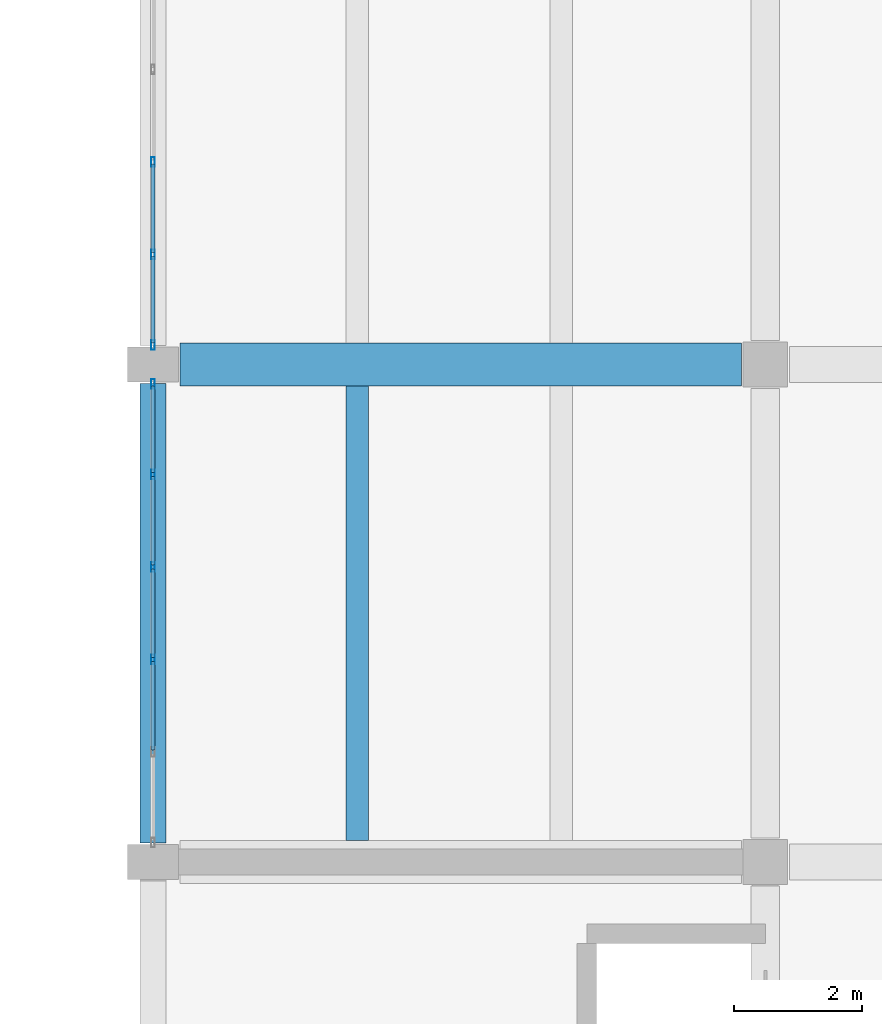
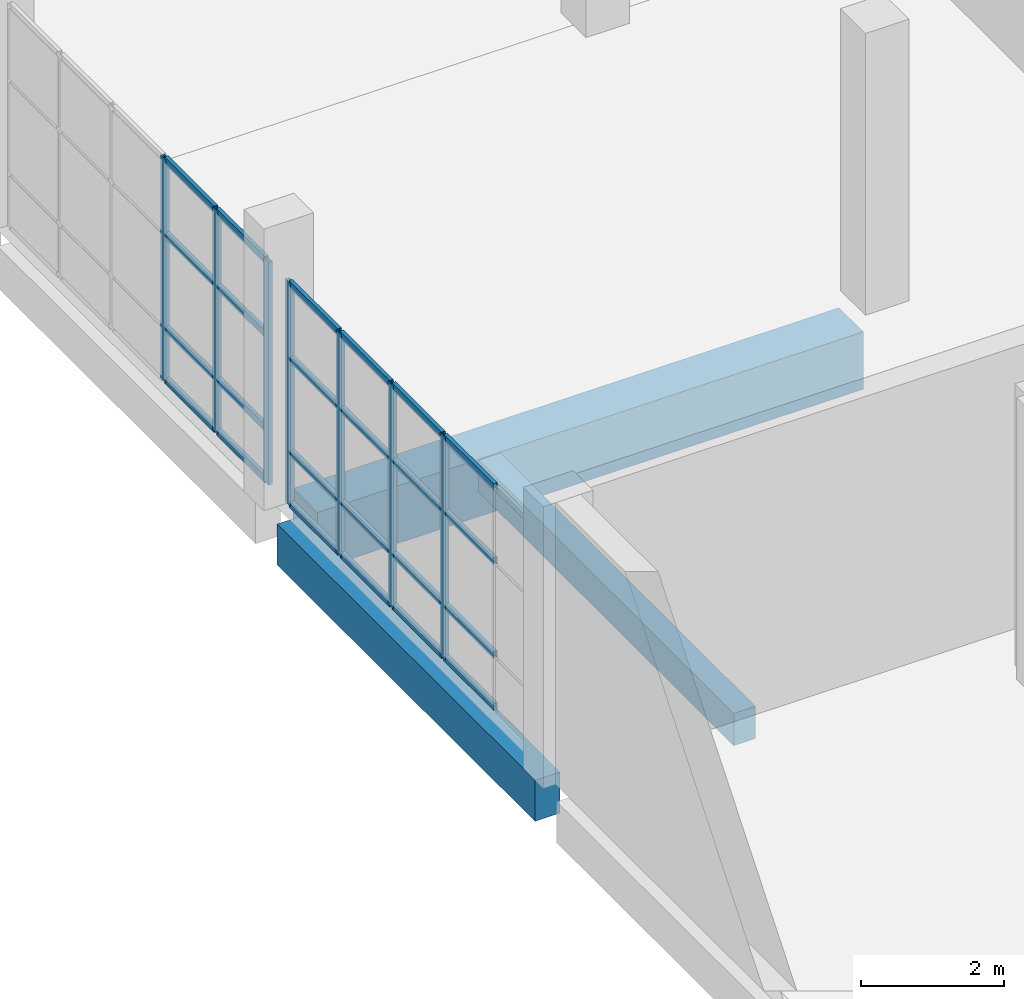
# One storey, part 55 of 91: 31 members, 3 beams, 2 elements without a shape of their own.
"""IFC4 building model written with IfcOpenShell, lengths in metres."""

from ifc_helpers import new_model, si_unit, direction, frame, origin, origin_2d, place, context, subcontext, project, spatial, rectangle, hollow_rectangle, extrude, material, material_profile, profile_set, type_object, element, aggregate, save


model = new_model("IFC4")

# Units and contexts
model_context = context("Model", 3, precision=1e-05, world=origin(), true_north=direction((0.0, 1.0)))
body_context = subcontext(model_context, "Body", "Model", "MODEL_VIEW")
ifc_project = project(units=[si_unit("LENGTHUNIT", "METRE"), si_unit("AREAUNIT", "SQUARE_METRE"), si_unit("VOLUMEUNIT", "CUBIC_METRE"), si_unit("PLANEANGLEUNIT", "RADIAN"), si_unit("MASSUNIT", "GRAM", prefix="KILO")], contexts=[model_context])

# Site, building, storey
site_placement = place(None, origin())
site = spatial("IfcSite", under=ifc_project, at=site_placement, CompositionType="ELEMENT")
building_placement = place(site_placement, origin())
building = spatial("IfcBuilding", under=site, at=building_placement, Name="Pellamere Symphony Hall", CompositionType="ELEMENT")
storey_placement = place(building_placement, frame((0.0, 0.0, 5.39990234375)))
storey = spatial("IfcBuildingStorey", under=building, at=storey_placement, Name="L01", CompositionType="ELEMENT", Elevation=5.39990234375)

# Curtain wall, members
ifc_material_1 = material(Name="Thermally Broken Anodised Aluminium 6063-T6 Curtain Wall", Category="aluminium")
curtain_wall_type = type_object("IfcCurtainWallType", Name="Curtain Wall CW-05 (Artists Wing North Studio Ribbon Curtain Wall)", PredefinedType="NOTDEFINED", material=ifc_material_1)
curtain_wall_1_placement = place(storey_placement, origin())
curtain_wall_1 = element("IfcCurtainWall", 1, at=curtain_wall_1_placement, inside=storey, type_object=curtain_wall_type, Name="Sculpture Court East Wing Curtain Wall (L01 Bay 1)", PredefinedType="NOTDEFINED")
ifc_material_2 = material(Name="Anodised Architectural Aluminium 6063-T6", Category="aluminium")
ifc_material_profile_1 = material_profile(ifc_material_2, hollow_rectangle(XDim=0.06005859375, YDim=0.14990234375, WallThickness=0.00390625, at=origin_2d()), Name="ALU-M60X150X4")
ifc_profile_set_1 = profile_set([ifc_material_profile_1], Name="Anodised Architectural Aluminium 6063-T6")
member_type_1 = type_object("IfcMemberType", Name="Curtain Wall Mullion ML-03 ALU-M60X150X4", PredefinedType="MULLION", material=ifc_profile_set_1)
member_1_placement = place(storey_placement, frame((138.0, 64.97509765625, 0.0), z_axis=(0.0, 0.0, 1.0), x_axis=(-1.0, 0.0, 0.0)))
member_1 = element("IfcMember", 2, at=member_1_placement, type_object=member_type_1, Name="CW5-132 crystal mullion 3", PredefinedType="MULLION", context=body_context, shape_type="SweptSolid", body=[
    extrude(hollow_rectangle(XDim=0.06005859375, YDim=0.14990234375, WallThickness=0.00390625, at=origin_2d()), origin(), (0.0, 0.0, 1.0), 3.800048828125),
])
member_2_placement = place(storey_placement, frame((138.0, 66.425048828125, 0.0), z_axis=(0.0, 0.0, 1.0), x_axis=(-1.0, 0.0, 0.0)))
member_2 = element("IfcMember", 3, at=member_2_placement, type_object=member_type_1, Name="CW5-132 crystal mullion 4", PredefinedType="MULLION", context=body_context, shape_type="SweptSolid", body=[
    extrude(hollow_rectangle(XDim=0.06005859375, YDim=0.14990234375, WallThickness=0.00390625, at=origin_2d()), origin(), (0.0, 0.0, 1.0), 3.800048828125),
])
member_3_placement = place(storey_placement, frame((138.0, 67.875, 0.0), z_axis=(0.0, 0.0, 1.0), x_axis=(-1.0, 0.0, 0.0)))
member_3 = element("IfcMember", 4, at=member_3_placement, type_object=member_type_1, Name="CW5-132 crystal mullion 5", PredefinedType="MULLION", context=body_context, shape_type="SweptSolid", body=[
    extrude(hollow_rectangle(XDim=0.06005859375, YDim=0.14990234375, WallThickness=0.00390625, at=origin_2d()), origin(), (0.0, 0.0, 1.0), 3.800048828125),
])
member_4_placement = place(storey_placement, frame((138.0, 69.294921875, 0.0), z_axis=(0.0, 0.0, 1.0), x_axis=(-1.0, 0.0, 0.0)))
member_4 = element("IfcMember", 5, at=member_4_placement, type_object=member_type_1, Name="CW5-132 crystal mullion 6", PredefinedType="MULLION", context=body_context, shape_type="SweptSolid", body=[
    extrude(hollow_rectangle(XDim=0.06005859375, YDim=0.14990234375, WallThickness=0.00390625, at=origin_2d()), origin(), (0.0, 0.0, 1.0), 3.800048828125),
])

curtain_wall_2_placement = place(storey_placement, origin())
curtain_wall_2 = element("IfcCurtainWall", 6, at=curtain_wall_2_placement, inside=storey, type_object=curtain_wall_type, Name="Sculpture Court East Wing Curtain Wall (L01 Bay 2)", PredefinedType="NOTDEFINED")
member_5_placement = place(storey_placement, frame((138.0, 69.905029296875, 0.0), z_axis=(0.0, 0.0, 1.0), x_axis=(-1.0, 0.0, 0.0)))
member_5 = element("IfcMember", 7, at=member_5_placement, type_object=member_type_1, Name="CW5-133 crystal mullion 1", PredefinedType="MULLION", context=body_context, shape_type="SweptSolid", body=[
    extrude(hollow_rectangle(XDim=0.06005859375, YDim=0.14990234375, WallThickness=0.00390625, at=origin_2d()), origin(), (0.0, 0.0, 1.0), 3.800048828125),
])
member_6_placement = place(storey_placement, frame((138.0, 71.324951171875, 0.0), z_axis=(0.0, 0.0, 1.0), x_axis=(-1.0, 0.0, 0.0)))
member_6 = element("IfcMember", 8, at=member_6_placement, type_object=member_type_1, Name="CW5-133 crystal mullion 2", PredefinedType="MULLION", context=body_context, shape_type="SweptSolid", body=[
    extrude(hollow_rectangle(XDim=0.06005859375, YDim=0.14990234375, WallThickness=0.00390625, at=origin_2d()), origin(), (0.0, 0.0, 1.0), 3.800048828125),
])
member_7_placement = place(storey_placement, frame((138.0, 72.77490234375, 0.0), z_axis=(0.0, 0.0, 1.0), x_axis=(-1.0, 0.0, 0.0)))
member_7 = element("IfcMember", 9, at=member_7_placement, type_object=member_type_1, Name="CW5-133 crystal mullion 3", PredefinedType="MULLION", context=body_context, shape_type="SweptSolid", body=[
    extrude(hollow_rectangle(XDim=0.06005859375, YDim=0.14990234375, WallThickness=0.00390625, at=origin_2d()), origin(), (0.0, 0.0, 1.0), 3.800048828125),
])

# Member
ifc_material_profile_2 = material_profile(ifc_material_2, hollow_rectangle(XDim=0.06005859375, YDim=0.1201171875, WallThickness=0.00390625, at=origin_2d()), Name="ALU-T60X120X4")
ifc_profile_set_2 = profile_set([ifc_material_profile_2], Name="Anodised Architectural Aluminium 6063-T6")
member_type_2 = type_object("IfcMemberType", Name="Curtain Wall Transom TR-03 ALU-T60X120X4", PredefinedType="USERDEFINED", material=ifc_profile_set_2)
member_8_placement = place(storey_placement, frame((138.0, 63.554931640625, 0.030029296875), z_axis=(0.0, 1.0, 0.0), x_axis=(-1.0, 0.0, 0.0)))
member_8 = element("IfcMember", 10, at=member_8_placement, type_object=member_type_2, Name="CW5-132 crystal transom 2.1", ObjectType="TRANSOM", PredefinedType="USERDEFINED", context=body_context, shape_type="SweptSolid", body=[
    extrude(hollow_rectangle(XDim=0.06005859375, YDim=0.1201171875, WallThickness=0.00390625, at=origin_2d()), origin(), (0.0, 0.0, 1.0), 1.39013671875),
])

member_9_placement = place(storey_placement, frame((138.0, 63.554931640625, 0.912109375), z_axis=(0.0, 1.0, 0.0), x_axis=(-1.0, 0.0, 0.0)))
member_9 = element("IfcMember", 11, at=member_9_placement, type_object=member_type_2, Name="CW5-132 crystal transom 2.2", ObjectType="TRANSOM", PredefinedType="USERDEFINED", context=body_context, shape_type="SweptSolid", body=[
    extrude(hollow_rectangle(XDim=0.06005859375, YDim=0.1201171875, WallThickness=0.00390625, at=origin_2d()), origin(), (0.0, 0.0, 1.0), 1.39013671875),
])

member_10_placement = place(storey_placement, frame((138.0, 63.554931640625, 2.508056640625), z_axis=(0.0, 1.0, 0.0), x_axis=(-1.0, 0.0, 0.0)))
member_10 = element("IfcMember", 12, at=member_10_placement, type_object=member_type_2, Name="CW5-132 crystal transom 2.3", ObjectType="TRANSOM", PredefinedType="USERDEFINED", context=body_context, shape_type="SweptSolid", body=[
    extrude(hollow_rectangle(XDim=0.06005859375, YDim=0.1201171875, WallThickness=0.00390625, at=origin_2d()), origin(), (0.0, 0.0, 1.0), 1.39013671875),
])

member_11_placement = place(storey_placement, frame((138.0, 63.554931640625, 3.77001953125), z_axis=(0.0, 1.0, 0.0), x_axis=(-1.0, 0.0, 0.0)))
member_11 = element("IfcMember", 13, at=member_11_placement, type_object=member_type_2, Name="CW5-132 crystal transom 2.4", ObjectType="TRANSOM", PredefinedType="USERDEFINED", context=body_context, shape_type="SweptSolid", body=[
    extrude(hollow_rectangle(XDim=0.06005859375, YDim=0.1201171875, WallThickness=0.00390625, at=origin_2d()), origin(), (0.0, 0.0, 1.0), 1.39013671875),
])

member_12_placement = place(storey_placement, frame((138.0, 65.0048828125, 0.030029296875), z_axis=(0.0, 1.0, 0.0), x_axis=(-1.0, 0.0, 0.0)))
member_12 = element("IfcMember", 14, at=member_12_placement, type_object=member_type_2, Name="CW5-132 crystal transom 3.1", ObjectType="TRANSOM", PredefinedType="USERDEFINED", context=body_context, shape_type="SweptSolid", body=[
    extrude(hollow_rectangle(XDim=0.06005859375, YDim=0.1201171875, WallThickness=0.00390625, at=origin_2d()), origin(), (0.0, 0.0, 1.0), 1.39013671875),
])

member_13_placement = place(storey_placement, frame((138.0, 65.0048828125, 0.912109375), z_axis=(0.0, 1.0, 0.0), x_axis=(-1.0, 0.0, 0.0)))
member_13 = element("IfcMember", 15, at=member_13_placement, type_object=member_type_2, Name="CW5-132 crystal transom 3.2", ObjectType="TRANSOM", PredefinedType="USERDEFINED", context=body_context, shape_type="SweptSolid", body=[
    extrude(hollow_rectangle(XDim=0.06005859375, YDim=0.1201171875, WallThickness=0.00390625, at=origin_2d()), origin(), (0.0, 0.0, 1.0), 1.39013671875),
])

member_14_placement = place(storey_placement, frame((138.0, 65.0048828125, 2.508056640625), z_axis=(0.0, 1.0, 0.0), x_axis=(-1.0, 0.0, 0.0)))
member_14 = element("IfcMember", 16, at=member_14_placement, type_object=member_type_2, Name="CW5-132 crystal transom 3.3", ObjectType="TRANSOM", PredefinedType="USERDEFINED", context=body_context, shape_type="SweptSolid", body=[
    extrude(hollow_rectangle(XDim=0.06005859375, YDim=0.1201171875, WallThickness=0.00390625, at=origin_2d()), origin(), (0.0, 0.0, 1.0), 1.39013671875),
])

member_15_placement = place(storey_placement, frame((138.0, 65.0048828125, 3.77001953125), z_axis=(0.0, 1.0, 0.0), x_axis=(-1.0, 0.0, 0.0)))
member_15 = element("IfcMember", 17, at=member_15_placement, type_object=member_type_2, Name="CW5-132 crystal transom 3.4", ObjectType="TRANSOM", PredefinedType="USERDEFINED", context=body_context, shape_type="SweptSolid", body=[
    extrude(hollow_rectangle(XDim=0.06005859375, YDim=0.1201171875, WallThickness=0.00390625, at=origin_2d()), origin(), (0.0, 0.0, 1.0), 1.39013671875),
])

member_16_placement = place(storey_placement, frame((138.0, 66.455078125, 0.030029296875), z_axis=(0.0, 1.0, 0.0), x_axis=(-1.0, 0.0, 0.0)))
member_16 = element("IfcMember", 18, at=member_16_placement, type_object=member_type_2, Name="CW5-132 crystal transom 4.1", ObjectType="TRANSOM", PredefinedType="USERDEFINED", context=body_context, shape_type="SweptSolid", body=[
    extrude(hollow_rectangle(XDim=0.06005859375, YDim=0.1201171875, WallThickness=0.00390625, at=origin_2d()), origin(), (0.0, 0.0, 1.0), 1.389892578125),
])

member_17_placement = place(storey_placement, frame((138.0, 66.455078125, 0.912109375), z_axis=(0.0, 1.0, 0.0), x_axis=(-1.0, 0.0, 0.0)))
member_17 = element("IfcMember", 19, at=member_17_placement, type_object=member_type_2, Name="CW5-132 crystal transom 4.2", ObjectType="TRANSOM", PredefinedType="USERDEFINED", context=body_context, shape_type="SweptSolid", body=[
    extrude(hollow_rectangle(XDim=0.06005859375, YDim=0.1201171875, WallThickness=0.00390625, at=origin_2d()), origin(), (0.0, 0.0, 1.0), 1.389892578125),
])

member_18_placement = place(storey_placement, frame((138.0, 66.455078125, 2.508056640625), z_axis=(0.0, 1.0, 0.0), x_axis=(-1.0, 0.0, 0.0)))
member_18 = element("IfcMember", 20, at=member_18_placement, type_object=member_type_2, Name="CW5-132 crystal transom 4.3", ObjectType="TRANSOM", PredefinedType="USERDEFINED", context=body_context, shape_type="SweptSolid", body=[
    extrude(hollow_rectangle(XDim=0.06005859375, YDim=0.1201171875, WallThickness=0.00390625, at=origin_2d()), origin(), (0.0, 0.0, 1.0), 1.389892578125),
])

member_19_placement = place(storey_placement, frame((138.0, 66.455078125, 3.77001953125), z_axis=(0.0, 1.0, 0.0), x_axis=(-1.0, 0.0, 0.0)))
member_19 = element("IfcMember", 21, at=member_19_placement, type_object=member_type_2, Name="CW5-132 crystal transom 4.4", ObjectType="TRANSOM", PredefinedType="USERDEFINED", context=body_context, shape_type="SweptSolid", body=[
    extrude(hollow_rectangle(XDim=0.06005859375, YDim=0.1201171875, WallThickness=0.00390625, at=origin_2d()), origin(), (0.0, 0.0, 1.0), 1.389892578125),
])

member_20_placement = place(storey_placement, frame((138.0, 67.905029296875, 0.030029296875), z_axis=(0.0, 1.0, 0.0), x_axis=(-1.0, 0.0, 0.0)))
member_20 = element("IfcMember", 22, at=member_20_placement, type_object=member_type_2, Name="CW5-132 crystal transom 5.1", ObjectType="TRANSOM", PredefinedType="USERDEFINED", context=body_context, shape_type="SweptSolid", body=[
    extrude(hollow_rectangle(XDim=0.06005859375, YDim=0.1201171875, WallThickness=0.00390625, at=origin_2d()), origin(), (0.0, 0.0, 1.0), 1.35986328125),
])

member_21_placement = place(storey_placement, frame((138.0, 67.905029296875, 0.912109375), z_axis=(0.0, 1.0, 0.0), x_axis=(-1.0, 0.0, 0.0)))
member_21 = element("IfcMember", 23, at=member_21_placement, type_object=member_type_2, Name="CW5-132 crystal transom 5.2", ObjectType="TRANSOM", PredefinedType="USERDEFINED", context=body_context, shape_type="SweptSolid", body=[
    extrude(hollow_rectangle(XDim=0.06005859375, YDim=0.1201171875, WallThickness=0.00390625, at=origin_2d()), origin(), (0.0, 0.0, 1.0), 1.35986328125),
])

member_22_placement = place(storey_placement, frame((138.0, 67.905029296875, 2.508056640625), z_axis=(0.0, 1.0, 0.0), x_axis=(-1.0, 0.0, 0.0)))
member_22 = element("IfcMember", 24, at=member_22_placement, type_object=member_type_2, Name="CW5-132 crystal transom 5.3", ObjectType="TRANSOM", PredefinedType="USERDEFINED", context=body_context, shape_type="SweptSolid", body=[
    extrude(hollow_rectangle(XDim=0.06005859375, YDim=0.1201171875, WallThickness=0.00390625, at=origin_2d()), origin(), (0.0, 0.0, 1.0), 1.35986328125),
])

member_23_placement = place(storey_placement, frame((138.0, 67.905029296875, 3.77001953125), z_axis=(0.0, 1.0, 0.0), x_axis=(-1.0, 0.0, 0.0)))
member_23 = element("IfcMember", 25, at=member_23_placement, type_object=member_type_2, Name="CW5-132 crystal transom 5.4", ObjectType="TRANSOM", PredefinedType="USERDEFINED", context=body_context, shape_type="SweptSolid", body=[
    extrude(hollow_rectangle(XDim=0.06005859375, YDim=0.1201171875, WallThickness=0.00390625, at=origin_2d()), origin(), (0.0, 0.0, 1.0), 1.35986328125),
])

aggregate(curtain_wall_1, [member_1, member_2, member_3, member_4, member_8, member_9, member_10, member_11, member_12, member_13, member_14, member_15, member_16, member_17, member_18, member_19, member_20, member_21, member_22, member_23])

member_24_placement = place(storey_placement, frame((138.0, 69.93505859375, 0.030029296875), z_axis=(0.0, 1.0, 0.0), x_axis=(-1.0, 0.0, 0.0)))
member_24 = element("IfcMember", 26, at=member_24_placement, type_object=member_type_2, Name="CW5-133 crystal transom 1.1", ObjectType="TRANSOM", PredefinedType="USERDEFINED", context=body_context, shape_type="SweptSolid", body=[
    extrude(hollow_rectangle(XDim=0.06005859375, YDim=0.1201171875, WallThickness=0.00390625, at=origin_2d()), origin(), (0.0, 0.0, 1.0), 1.35986328125),
])

member_25_placement = place(storey_placement, frame((138.0, 69.93505859375, 0.912109375), z_axis=(0.0, 1.0, 0.0), x_axis=(-1.0, 0.0, 0.0)))
member_25 = element("IfcMember", 27, at=member_25_placement, type_object=member_type_2, Name="CW5-133 crystal transom 1.2", ObjectType="TRANSOM", PredefinedType="USERDEFINED", context=body_context, shape_type="SweptSolid", body=[
    extrude(hollow_rectangle(XDim=0.06005859375, YDim=0.1201171875, WallThickness=0.00390625, at=origin_2d()), origin(), (0.0, 0.0, 1.0), 1.35986328125),
])

member_26_placement = place(storey_placement, frame((138.0, 69.93505859375, 2.508056640625), z_axis=(0.0, 1.0, 0.0), x_axis=(-1.0, 0.0, 0.0)))
member_26 = element("IfcMember", 28, at=member_26_placement, type_object=member_type_2, Name="CW5-133 crystal transom 1.3", ObjectType="TRANSOM", PredefinedType="USERDEFINED", context=body_context, shape_type="SweptSolid", body=[
    extrude(hollow_rectangle(XDim=0.06005859375, YDim=0.1201171875, WallThickness=0.00390625, at=origin_2d()), origin(), (0.0, 0.0, 1.0), 1.35986328125),
])

member_27_placement = place(storey_placement, frame((138.0, 69.93505859375, 3.77001953125), z_axis=(0.0, 1.0, 0.0), x_axis=(-1.0, 0.0, 0.0)))
member_27 = element("IfcMember", 29, at=member_27_placement, type_object=member_type_2, Name="CW5-133 crystal transom 1.4", ObjectType="TRANSOM", PredefinedType="USERDEFINED", context=body_context, shape_type="SweptSolid", body=[
    extrude(hollow_rectangle(XDim=0.06005859375, YDim=0.1201171875, WallThickness=0.00390625, at=origin_2d()), origin(), (0.0, 0.0, 1.0), 1.35986328125),
])

member_28_placement = place(storey_placement, frame((138.0, 71.35498046875, 0.030029296875), z_axis=(0.0, 1.0, 0.0), x_axis=(-1.0, 0.0, 0.0)))
member_28 = element("IfcMember", 30, at=member_28_placement, type_object=member_type_2, Name="CW5-133 crystal transom 2.1", ObjectType="TRANSOM", PredefinedType="USERDEFINED", context=body_context, shape_type="SweptSolid", body=[
    extrude(hollow_rectangle(XDim=0.06005859375, YDim=0.1201171875, WallThickness=0.00390625, at=origin_2d()), origin(), (0.0, 0.0, 1.0), 1.39013671875),
])

member_29_placement = place(storey_placement, frame((138.0, 71.35498046875, 0.912109375), z_axis=(0.0, 1.0, 0.0), x_axis=(-1.0, 0.0, 0.0)))
member_29 = element("IfcMember", 31, at=member_29_placement, type_object=member_type_2, Name="CW5-133 crystal transom 2.2", ObjectType="TRANSOM", PredefinedType="USERDEFINED", context=body_context, shape_type="SweptSolid", body=[
    extrude(hollow_rectangle(XDim=0.06005859375, YDim=0.1201171875, WallThickness=0.00390625, at=origin_2d()), origin(), (0.0, 0.0, 1.0), 1.39013671875),
])

member_30_placement = place(storey_placement, frame((138.0, 71.35498046875, 2.508056640625), z_axis=(0.0, 1.0, 0.0), x_axis=(-1.0, 0.0, 0.0)))
member_30 = element("IfcMember", 32, at=member_30_placement, type_object=member_type_2, Name="CW5-133 crystal transom 2.3", ObjectType="TRANSOM", PredefinedType="USERDEFINED", context=body_context, shape_type="SweptSolid", body=[
    extrude(hollow_rectangle(XDim=0.06005859375, YDim=0.1201171875, WallThickness=0.00390625, at=origin_2d()), origin(), (0.0, 0.0, 1.0), 1.39013671875),
])

member_31_placement = place(storey_placement, frame((138.0, 71.35498046875, 3.77001953125), z_axis=(0.0, 1.0, 0.0), x_axis=(-1.0, 0.0, 0.0)))
member_31 = element("IfcMember", 33, at=member_31_placement, type_object=member_type_2, Name="CW5-133 crystal transom 2.4", ObjectType="TRANSOM", PredefinedType="USERDEFINED", context=body_context, shape_type="SweptSolid", body=[
    extrude(hollow_rectangle(XDim=0.06005859375, YDim=0.1201171875, WallThickness=0.00390625, at=origin_2d()), origin(), (0.0, 0.0, 1.0), 1.39013671875),
])

aggregate(curtain_wall_2, [member_5, member_6, member_7, member_24, member_25, member_26, member_27, member_28, member_29, member_30, member_31])

# Beams
ifc_material_3 = material(Name="Concrete 35 MPa", Category="concrete")
ifc_material_profile_3 = material_profile(ifc_material_3, rectangle(XDim=0.35009765625, YDim=0.550048828125, at=origin_2d()), Name="RC 350x550")
ifc_profile_set_3 = profile_set([ifc_material_profile_3], Name="Concrete 35 MPa")
beam_type_1 = type_object("IfcBeamType", Name="RC CB-10 350x550", PredefinedType="BEAM", material=ifc_profile_set_3)
beam_1_placement = place(storey_placement, frame((141.199951171875, 62.139892578125, -0.56982421875), z_axis=(0.0, 1.0, 0.0), x_axis=(-1.0, 0.0, 0.0)))
element("IfcBeam", 34, at=beam_1_placement, inside=storey, type_object=beam_type_1, Name="Secondary Floor Beam CB-10-A1708 (L01)", PredefinedType="BEAM", context=body_context, shape_type="SweptSolid", body=[
    extrude(rectangle(XDim=0.35009765625, YDim=0.550048828125, at=origin_2d()), origin(), (0.0, 0.0, 1.0), 7.1201171875),
])
ifc_material_4 = material(Name="Concrete 40 MPa", Category="concrete")
ifc_material_profile_4 = material_profile(ifc_material_4, rectangle(XDim=0.39990234375, YDim=0.699951171875, at=origin_2d()), Name="RC 400x700")
ifc_profile_set_4 = profile_set([ifc_material_profile_4], Name="Concrete 40 MPa")
beam_type_2 = type_object("IfcBeamType", Name="RC CB-13 400x700", PredefinedType="SPANDREL", material=ifc_profile_set_4)
beam_2_placement = place(storey_placement, frame((138.0, 62.10009765625, -0.6298828125), z_axis=(0.0, 1.0, 0.0), x_axis=(-1.0, 0.0, 0.0)))
element("IfcBeam", 35, at=beam_2_placement, inside=storey, type_object=beam_type_2, Name="Girder CB-13-Y0846 (L01)", PredefinedType="SPANDREL", context=body_context, shape_type="SweptSolid", body=[
    extrude(rectangle(XDim=0.39990234375, YDim=0.699951171875, at=origin_2d()), origin(), (0.0, 0.0, 1.0), 7.199951171875),
])
ifc_material_profile_5 = material_profile(ifc_material_4, rectangle(XDim=0.679931640625, YDim=0.97998046875, at=origin_2d()), Name="RC 680x980")
ifc_profile_set_5 = profile_set([ifc_material_profile_5], Name="Concrete 40 MPa")
beam_type_3 = type_object("IfcBeamType", Name="RC CB-22 680x980", PredefinedType="BEAM", material=ifc_profile_set_5)
beam_3_placement = place(storey_placement, frame((138.425048828125, 69.60009765625, -0.77001953125), z_axis=(1.0, 0.0, 0.0), x_axis=(0.0, 1.0, 0.0)))
element("IfcBeam", 36, at=beam_3_placement, inside=storey, type_object=beam_type_3, Name="Girder CB-22-X0656 (L01)", PredefinedType="BEAM", context=body_context, shape_type="SweptSolid", body=[
    extrude(rectangle(XDim=0.679931640625, YDim=0.97998046875, at=origin_2d()), origin(), (0.0, 0.0, 1.0), 8.800048828125),
])

save(model, "model.ifc")
